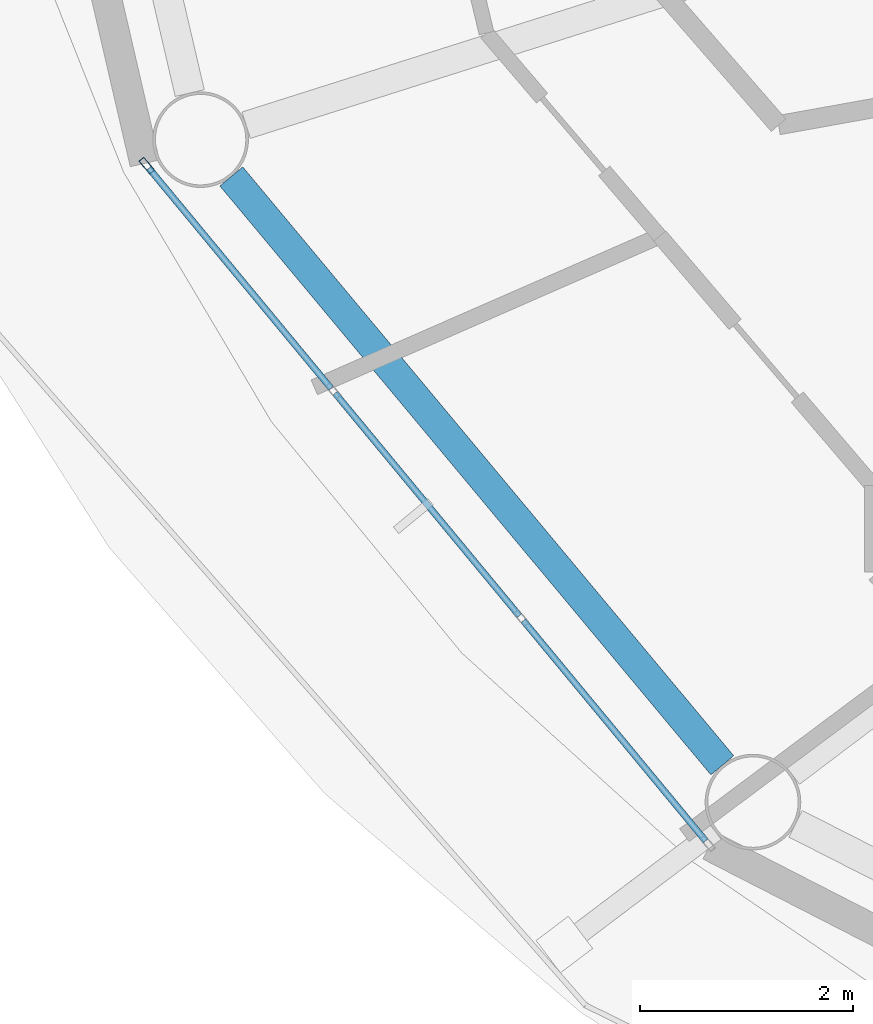
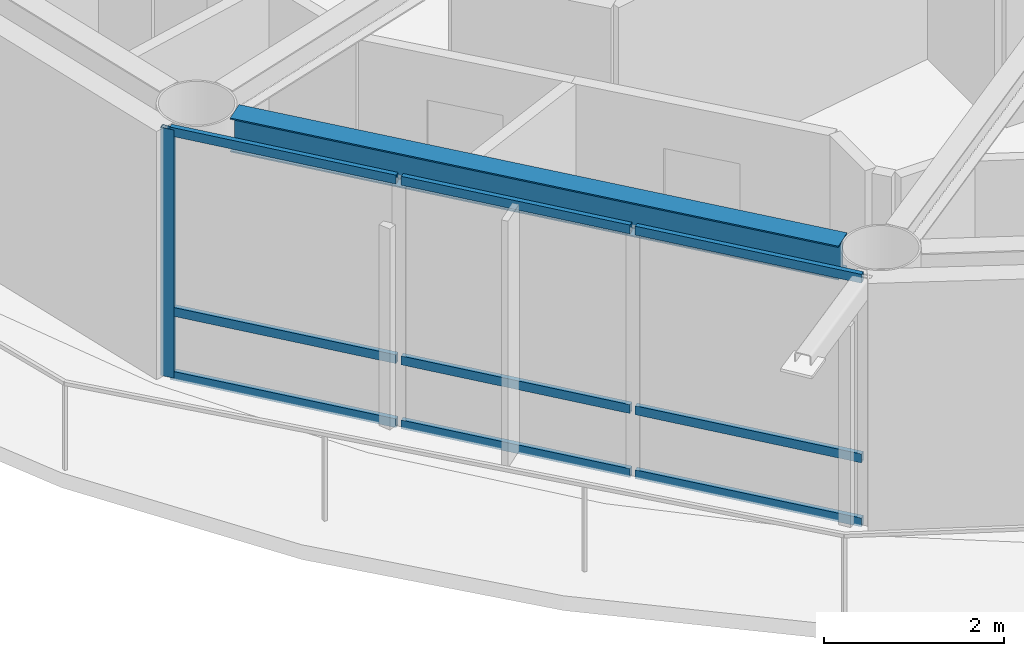
# One storey, part 3 of 22: 10 members, 1 beam, 1 element without a shape of its own.
"""IFC4 building model written with IfcOpenShell, lengths in metres."""

from ifc_helpers import new_model, si_unit, direction, frame, origin, origin_2d, place, context, subcontext, project, spatial, hollow_rectangle, i_section, extrude, material, layer, layer_set, material_profile, profile_set, type_object, element, aggregate, save


model = new_model("IFC4")

# Units and contexts
model_context = context("Model", 3, precision=1e-05, world=origin(), true_north=direction((0.0, 1.0)))
body_context = subcontext(model_context, "Body", "Model", "MODEL_VIEW")
ifc_project = project(units=[si_unit("LENGTHUNIT", "METRE"), si_unit("AREAUNIT", "SQUARE_METRE"), si_unit("VOLUMEUNIT", "CUBIC_METRE"), si_unit("PLANEANGLEUNIT", "RADIAN"), si_unit("MASSUNIT", "GRAM", prefix="KILO")], contexts=[model_context])

# Site, building, storey
site_placement = place(None, origin())
site = spatial("IfcSite", under=ifc_project, at=site_placement, CompositionType="ELEMENT")
building_placement = place(site_placement, origin())
building = spatial("IfcBuilding", under=site, at=building_placement, Name="Sarneth Arch Tower", CompositionType="ELEMENT")
storey_placement = place(building_placement, frame((0.0, 0.0, 291.0)))
storey = spatial("IfcBuildingStorey", under=building, at=storey_placement, Name="L75", CompositionType="ELEMENT", Elevation=291.0)

# Beam
ifc_material_1 = material(Name="Steel S355", Category="steel")
ifc_material_profile_1 = material_profile(ifc_material_1, i_section(OverallWidth=0.280029296875, OverallDepth=0.462890625, WebThickness=0.0107421875, FlangeThickness=0.017333984375, FilletRadius=0.01806640625, at=origin_2d()), Name="W460x113")
ifc_profile_set_1 = profile_set([ifc_material_profile_1], Name="Steel S355")
beam_type = type_object("IfcBeamType", Name="BM-RAD-460A", PredefinedType="BEAM", material=ifc_profile_set_1)
beam_placement = place(storey_placement, frame((25.119384765625, 34.306884765625, 3.138427734375), z_axis=(0.640390876881, -0.768049168222, 0.0), x_axis=(0.768049168222, 0.640390876881, 0.0)))
element("IfcBeam", 1, at=beam_placement, inside=storey, type_object=beam_type, Name="L75 Perimeter spandrel beam 10", PredefinedType="BEAM", context=body_context, shape_type="SweptSolid", body=[
    extrude(i_section(OverallWidth=0.280029296875, OverallDepth=0.462890625, WebThickness=0.0107421875, FlangeThickness=0.017333984375, FilletRadius=0.01806640625, at=origin_2d()), origin(), (0.0, 0.0, 1.0), 7.2099609375),
])

# Curtain wall, members
ifc_material_2 = material(Name="Anodised aluminium Type AA25 and solar-control low-e laminated IGU", Category="aluminium")
ifc_layer = layer(ifc_material_2, 0.179931640625)
ifc_layer_set = layer_set([ifc_layer], Name="Anodised aluminium Type AA25 and solar-control low-e laminated IGU")
curtain_wall_type = type_object("IfcCurtainWallType", Name="CW-RES-HIGH", PredefinedType="NOTDEFINED", material=ifc_layer_set)
curtain_wall_placement = place(storey_placement, origin())
curtain_wall = element("IfcCurtainWall", 2, at=curtain_wall_placement, inside=storey, type_object=curtain_wall_type, Name="L75 Unitised curtain wall facet 10", PredefinedType="NOTDEFINED")
ifc_material_3 = material(Name="Anodised Aluminium 6063-T6", Category="aluminium")
ifc_material_profile_2 = material_profile(ifc_material_3, hollow_rectangle(XDim=0.06005859375, YDim=0.159912109375, WallThickness=0.00390625, at=origin_2d()), Name="AL-MULL-160x60x4")
ifc_profile_set_2 = profile_set([ifc_material_profile_2], Name="Anodised Aluminium 6063-T6")
member_type_1 = type_object("IfcMemberType", Name="CW-MULLION", PredefinedType="MULLION", material=ifc_profile_set_2)
member_1_placement = place(storey_placement, frame((24.325439453125, 34.407470703125, 0.0), z_axis=(0.0, 0.0, 1.0), x_axis=(0.770359245933, 0.637610094184, 0.0)))
member_1 = element("IfcMember", 3, at=member_1_placement, type_object=member_type_1, Name="CW-SYS-6 mullion 1", PredefinedType="MULLION", context=body_context, shape_type="SweptSolid", body=[
    extrude(hollow_rectangle(XDim=0.06005859375, YDim=0.159912109375, WallThickness=0.00390625, at=origin_2d()), origin(), (0.0, 0.0, 1.0), 3.3701171875),
])
ifc_material_4 = material(Name="Anodised Aluminium 6063-T6", Category="aluminium")
ifc_material_profile_3 = material_profile(ifc_material_4, hollow_rectangle(XDim=0.06005859375, YDim=0.1201171875, WallThickness=0.00390625, at=origin_2d()), Name="AL-TRAN-120x60x4")
ifc_profile_set_3 = profile_set([ifc_material_profile_3], Name="Anodised Aluminium 6063-T6")
member_type_2 = type_object("IfcMemberType", Name="CW-TRANSOM", PredefinedType="USERDEFINED", material=ifc_profile_set_3)
member_2_placement = place(storey_placement, frame((24.344482421875, 34.38427734375, 0.030029296875), z_axis=(0.637651400067, -0.770325056059, 0.0), x_axis=(0.770325056059, 0.637651400067, 0.0)))
member_2 = element("IfcMember", 4, at=member_2_placement, type_object=member_type_2, Name="CW-SYS-6 transom 1.1", ObjectType="TRANSOM", PredefinedType="USERDEFINED", context=body_context, shape_type="SweptSolid", body=[
    extrude(hollow_rectangle(XDim=0.06005859375, YDim=0.1201171875, WallThickness=0.00390625, at=origin_2d()), origin(), (0.0, 0.0, 1.0), 2.6865234375),
])
member_3_placement = place(storey_placement, frame((24.344482421875, 34.38427734375, 0.89990234375), z_axis=(0.637651400067, -0.770325056059, 0.0), x_axis=(0.770325056059, 0.637651400067, 0.0)))
member_3 = element("IfcMember", 5, at=member_3_placement, type_object=member_type_2, Name="CW-SYS-6 transom 1.2", ObjectType="TRANSOM", PredefinedType="USERDEFINED", context=body_context, shape_type="SweptSolid", body=[
    extrude(hollow_rectangle(XDim=0.06005859375, YDim=0.1201171875, WallThickness=0.00390625, at=origin_2d()), origin(), (0.0, 0.0, 1.0), 2.6865234375),
])
member_4_placement = place(storey_placement, frame((24.344482421875, 34.38427734375, 3.340087890625), z_axis=(0.637651400067, -0.770325056059, 0.0), x_axis=(0.770325056059, 0.637651400067, 0.0)))
member_4 = element("IfcMember", 6, at=member_4_placement, type_object=member_type_2, Name="CW-SYS-6 transom 1.3", ObjectType="TRANSOM", PredefinedType="USERDEFINED", context=body_context, shape_type="SweptSolid", body=[
    extrude(hollow_rectangle(XDim=0.06005859375, YDim=0.1201171875, WallThickness=0.00390625, at=origin_2d()), origin(), (0.0, 0.0, 1.0), 2.6865234375),
])
member_5_placement = place(storey_placement, frame((26.095703125, 32.268310546875, 0.030029296875), z_axis=(0.637617371902, -0.770353222261, 0.0), x_axis=(0.770353222261, 0.637617371902, 0.0)))
member_5 = element("IfcMember", 7, at=member_5_placement, type_object=member_type_2, Name="CW-SYS-6 transom 2.1", ObjectType="TRANSOM", PredefinedType="USERDEFINED", context=body_context, shape_type="SweptSolid", body=[
    extrude(hollow_rectangle(XDim=0.06005859375, YDim=0.1201171875, WallThickness=0.00390625, at=origin_2d()), origin(), (0.0, 0.0, 1.0), 2.716552734375),
])
member_6_placement = place(storey_placement, frame((26.095703125, 32.268310546875, 0.89990234375), z_axis=(0.637617371902, -0.770353222261, 0.0), x_axis=(0.770353222261, 0.637617371902, 0.0)))
member_6 = element("IfcMember", 8, at=member_6_placement, type_object=member_type_2, Name="CW-SYS-6 transom 2.2", ObjectType="TRANSOM", PredefinedType="USERDEFINED", context=body_context, shape_type="SweptSolid", body=[
    extrude(hollow_rectangle(XDim=0.06005859375, YDim=0.1201171875, WallThickness=0.00390625, at=origin_2d()), origin(), (0.0, 0.0, 1.0), 2.716552734375),
])
member_7_placement = place(storey_placement, frame((26.095703125, 32.268310546875, 3.340087890625), z_axis=(0.637617371902, -0.770353222261, 0.0), x_axis=(0.770353222261, 0.637617371902, 0.0)))
member_7 = element("IfcMember", 9, at=member_7_placement, type_object=member_type_2, Name="CW-SYS-6 transom 2.3", ObjectType="TRANSOM", PredefinedType="USERDEFINED", context=body_context, shape_type="SweptSolid", body=[
    extrude(hollow_rectangle(XDim=0.06005859375, YDim=0.1201171875, WallThickness=0.00390625, at=origin_2d()), origin(), (0.0, 0.0, 1.0), 2.716552734375),
])
member_8_placement = place(storey_placement, frame((27.8662109375, 30.12939453125, 0.030029296875), z_axis=(0.637606765719, -0.770362000821, 0.0), x_axis=(0.770362000821, 0.637606765719, 0.0)))
member_8 = element("IfcMember", 10, at=member_8_placement, type_object=member_type_2, Name="CW-SYS-6 transom 3.1", ObjectType="TRANSOM", PredefinedType="USERDEFINED", context=body_context, shape_type="SweptSolid", body=[
    extrude(hollow_rectangle(XDim=0.06005859375, YDim=0.1201171875, WallThickness=0.00390625, at=origin_2d()), origin(), (0.0, 0.0, 1.0), 2.686767578125),
])
member_9_placement = place(storey_placement, frame((27.8662109375, 30.12939453125, 0.89990234375), z_axis=(0.637606765719, -0.770362000821, 0.0), x_axis=(0.770362000821, 0.637606765719, 0.0)))
member_9 = element("IfcMember", 11, at=member_9_placement, type_object=member_type_2, Name="CW-SYS-6 transom 3.2", ObjectType="TRANSOM", PredefinedType="USERDEFINED", context=body_context, shape_type="SweptSolid", body=[
    extrude(hollow_rectangle(XDim=0.06005859375, YDim=0.1201171875, WallThickness=0.00390625, at=origin_2d()), origin(), (0.0, 0.0, 1.0), 2.686767578125),
])
member_10_placement = place(storey_placement, frame((27.8662109375, 30.12939453125, 3.340087890625), z_axis=(0.637606765719, -0.770362000821, 0.0), x_axis=(0.770362000821, 0.637606765719, 0.0)))
member_10 = element("IfcMember", 12, at=member_10_placement, type_object=member_type_2, Name="CW-SYS-6 transom 3.3", ObjectType="TRANSOM", PredefinedType="USERDEFINED", context=body_context, shape_type="SweptSolid", body=[
    extrude(hollow_rectangle(XDim=0.06005859375, YDim=0.1201171875, WallThickness=0.00390625, at=origin_2d()), origin(), (0.0, 0.0, 1.0), 2.686767578125),
])
aggregate(curtain_wall, [member_1, member_2, member_3, member_4, member_5, member_6, member_7, member_8, member_9, member_10])

save(model, "model.ifc")
